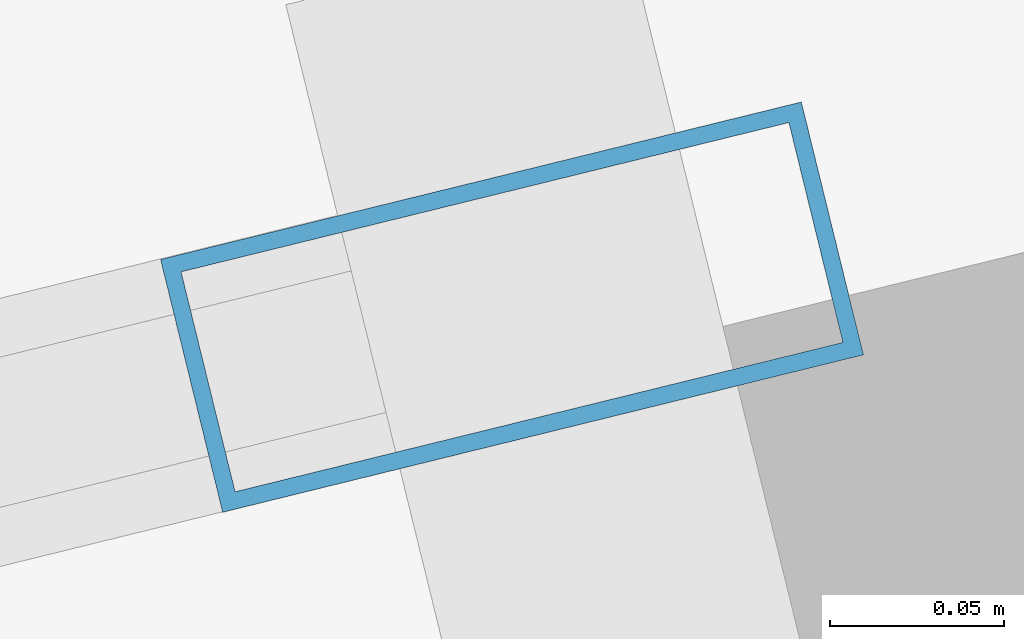
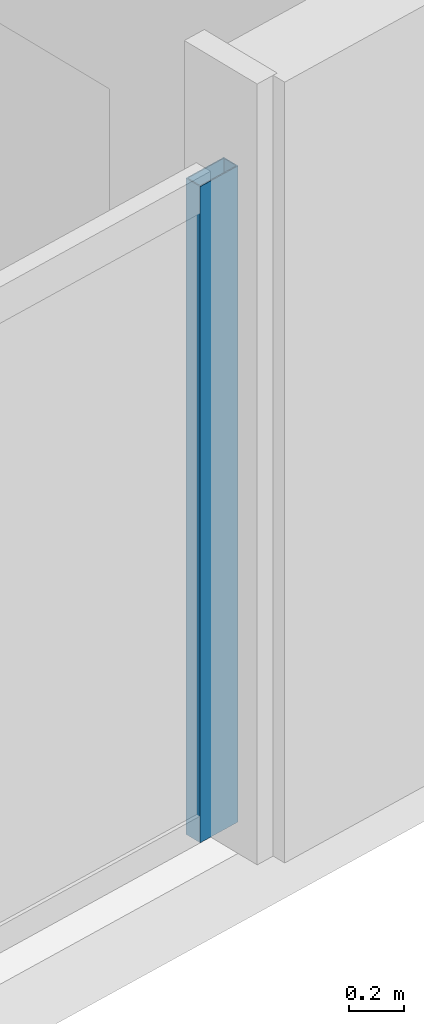
# One storey, part 9 of 32: 1 member, 1 element without a shape of its own.
"""IFC4 building model written with IfcOpenShell, lengths in metres."""

from ifc_helpers import new_model, si_unit, direction, frame, origin, origin_2d, place, context, subcontext, project, spatial, hollow_rectangle, extrude, material, material_profile, profile_set, type_object, element, aggregate, save


model = new_model("IFC4")

# Units and contexts
model_context = context("Model", 3, precision=1e-05, world=origin(), true_north=direction((0.0, 1.0)))
body_context = subcontext(model_context, "Body", "Model", "MODEL_VIEW")
ifc_project = project(units=[si_unit("LENGTHUNIT", "METRE"), si_unit("AREAUNIT", "SQUARE_METRE"), si_unit("VOLUMEUNIT", "CUBIC_METRE"), si_unit("PLANEANGLEUNIT", "RADIAN"), si_unit("MASSUNIT", "GRAM", prefix="KILO")], contexts=[model_context])

# Site, building, storey
site_placement = place(None, origin())
site = spatial("IfcSite", under=ifc_project, at=site_placement, CompositionType="ELEMENT")
building_placement = place(site_placement, origin())
building = spatial("IfcBuilding", under=site, at=building_placement, Name="Haldenkirk Collegiate Tower", CompositionType="ELEMENT")
storey_placement = place(building_placement, frame((0.0, 0.0, 73.949951171875)))
storey = spatial("IfcBuildingStorey", under=building, at=storey_placement, Name="L17", CompositionType="ELEMENT", Elevation=73.949951171875)

# Curtain wall, member
ifc_material = material(Name="Anodised architectural bronze aluminium", Category="aluminium")
curtain_wall_type = type_object("IfcCurtainWallType", Name="CW-SYS2-CONCAVE", PredefinedType="USERDEFINED", material=ifc_material)
curtain_wall_placement = place(storey_placement, origin())
curtain_wall = element("IfcCurtainWall", 1, at=curtain_wall_placement, inside=storey, type_object=curtain_wall_type, Name="L17 South concave recessed bronze-anodised curtain wall", ObjectType="UNITISED CURTAIN WALL", PredefinedType="USERDEFINED")
ifc_material_profile = material_profile(ifc_material, hollow_rectangle(XDim=0.074951171875, YDim=0.18994140625, WallThickness=0.0048828125, at=origin_2d()), Name="CW-MUL-02")
ifc_profile_set = profile_set([ifc_material_profile], Name="Anodised architectural bronze aluminium")
member_type = type_object("IfcMemberType", Name="CW-MUL-02", PredefinedType="MULLION", material=ifc_profile_set)
member_placement = place(storey_placement, frame((62.770263671875, 7.19775390625, 0.0), z_axis=(0.0, 0.0, 1.0), x_axis=(0.238533027316, -0.971134385592, 0.0)))
member = element("IfcMember", 2, at=member_placement, type_object=member_type, Name="CW-02 mullion 1", PredefinedType="MULLION", context=body_context, shape_type="SweptSolid", body=[
    extrude(hollow_rectangle(XDim=0.074951171875, YDim=0.18994140625, WallThickness=0.0048828125, at=origin_2d()), origin(), (0.0, 0.0, 1.0), 2.89111328125),
])
aggregate(curtain_wall, [member])

save(model, "model.ifc")
